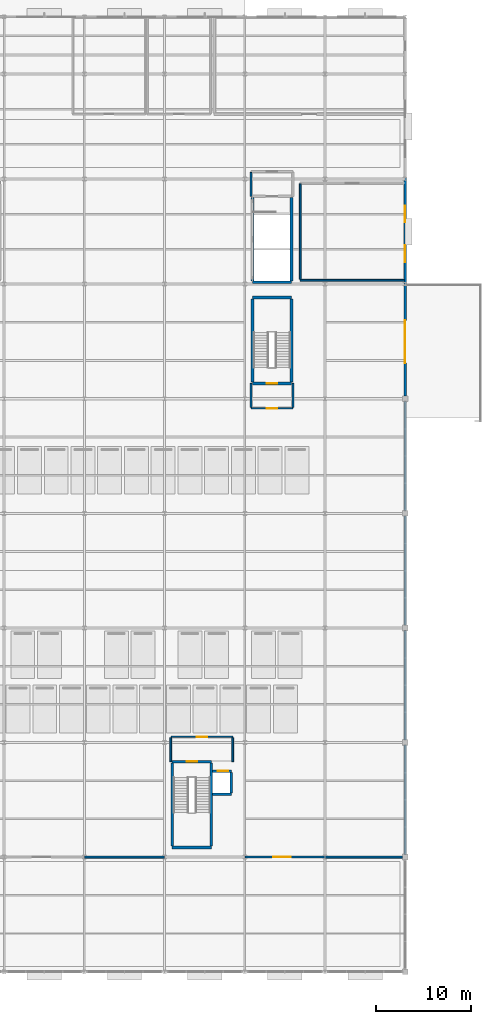
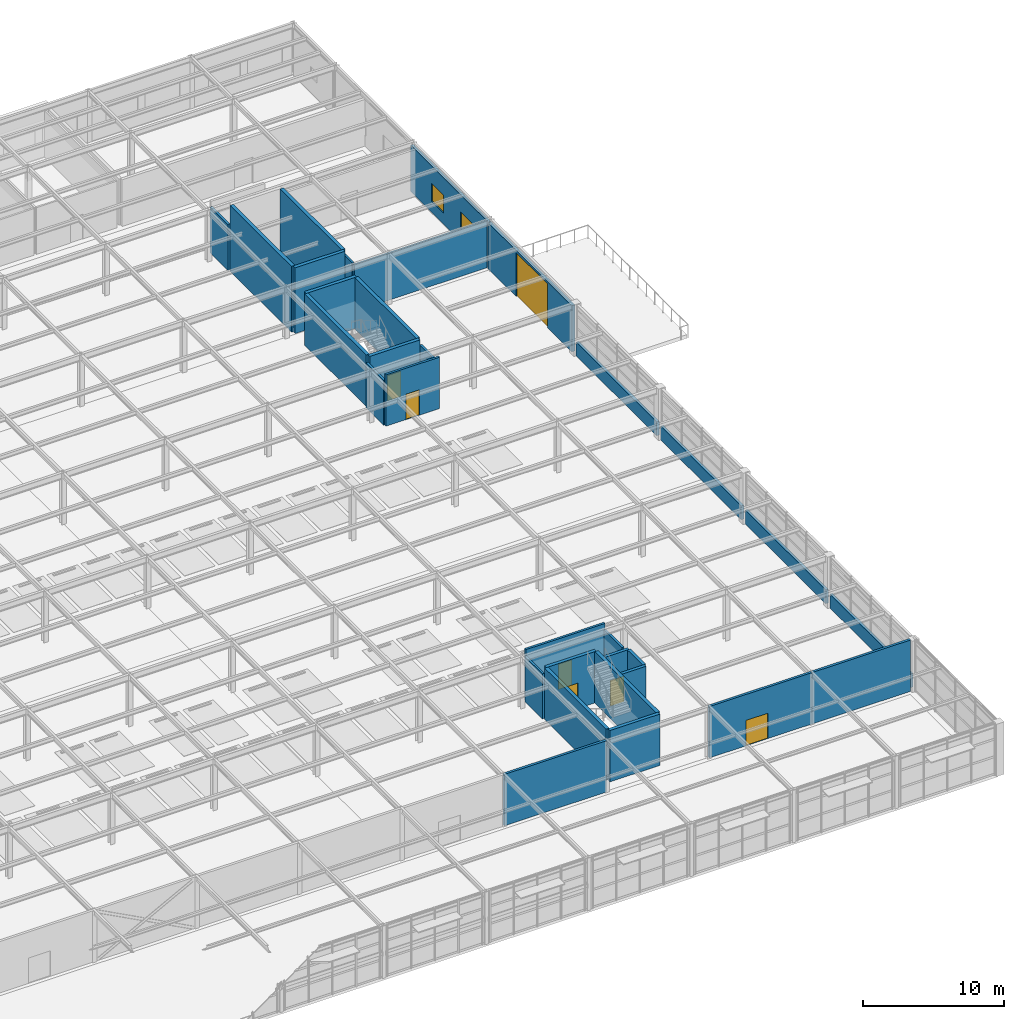
# One storey, part 67 of 82: 32 walls, 7 doors, 2 windows, 9 openings.
"""IFC4 building model written with IfcOpenShell, lengths in metres."""

from ifc_helpers import new_model, si_unit, direction, frame, frame_2d, origin, place, context, subcontext, project, spatial, rectangle, extrude, material, layer, layer_set, type_object, element, fill, save


model = new_model("IFC4")

# Units and contexts
model_context = context("Model", 3, precision=1e-05, world=origin(), true_north=direction((0.0, 1.0)))
body_context = subcontext(model_context, "Body", "Model", "MODEL_VIEW")
ifc_project = project(units=[si_unit("LENGTHUNIT", "METRE"), si_unit("AREAUNIT", "SQUARE_METRE"), si_unit("VOLUMEUNIT", "CUBIC_METRE"), si_unit("PLANEANGLEUNIT", "RADIAN"), si_unit("MASSUNIT", "GRAM", prefix="KILO")], contexts=[model_context])

# Site, building, storey
site_placement = place(None, origin())
site = spatial("IfcSite", under=ifc_project, at=site_placement, CompositionType="ELEMENT")
building_placement = place(site_placement, origin())
building = spatial("IfcBuilding", under=site, at=building_placement, Name="Sitalva Quay Ferry Terminal", CompositionType="ELEMENT")
storey_placement = place(building_placement, frame((0.0, 0.0, 5.39990234375)))
storey = spatial("IfcBuildingStorey", under=building, at=storey_placement, Name="L02", CompositionType="ELEMENT", Elevation=5.39990234375)

# Wall
ifc_material_1 = material(Name="Concrete C40/50", Category="concrete")
ifc_layer_1 = layer(ifc_material_1, 0.280029296875)
ifc_layer_set_1 = layer_set([ifc_layer_1], Name="Concrete C40/50")
wall_type_1 = type_object("IfcWallType", Name="Wall_CoreShear_280", PredefinedType="SHEAR", material=ifc_layer_set_1)
wall_1_placement = place(storey_placement, frame((143.60009765625, 19.0, 0.0), z_axis=(0.0, 0.0, 1.0), x_axis=(1.0, 0.0, 0.0)))
element("IfcWall", 1, at=wall_1_placement, inside=storey, type_object=wall_type_1, Name="Core C8 L02 south shear wall", PredefinedType="SHEAR", context=body_context, shape_type="SweptSolid", body=[
    extrude(rectangle(XDim=4.099853515625, YDim=0.280029296875, at=frame_2d((2.0498046875, 0.0))), origin(), (0.0, 0.0, 1.0), 4.4501953125),
])

# Wall, opening, door
wall_2_placement = place(storey_placement, frame((143.60009765625, 28.0, 0.0), z_axis=(0.0, 0.0, 1.0), x_axis=(1.0, 0.0, 0.0)))
wall_2 = element("IfcWall", 2, at=wall_2_placement, inside=storey, type_object=wall_type_1, Name="Core C8 L02 north shear wall", PredefinedType="SHEAR", context=body_context, shape_type="SweptSolid", body=[
    extrude(rectangle(XDim=4.099853515625, YDim=0.280029296875, at=frame_2d((2.0498046875, 0.0))), origin(), (0.0, 0.0, 1.0), 4.4501953125),
])
opening_1_placement = place(wall_2_placement, frame((1.5, 0.0, 0.0)))
opening_1 = element("IfcOpeningElement", 3, at=opening_1_placement, cuts=wall_2, Name="Opening D-L02-030", PredefinedType="OPENING", context=body_context, shape_type="SweptSolid", body=[
    extrude(rectangle(XDim=1.10009765625, YDim=2.199951171875, at=frame_2d((0.550048828125, 1.10009765625))), frame((0.0, 0.14990234375, 0.0), z_axis=(0.0, -1.0, 0.0), x_axis=(1.0, 0.0, 0.0)), (0.0, 0.0, 1.0), 0.300048828125),
])
ifc_material_2 = material(Name="Galvanised Steel Fire Door", Category="steel")
door_type_1 = type_object("IfcDoorType", Name="Door_CoreExit_1100x2200", OperationType="SINGLE_SWING_LEFT", PredefinedType="DOOR", material=ifc_material_2)
door_1_placement = place(opening_1_placement, origin())
door_1 = element("IfcDoor", 4, at=door_1_placement, inside=storey, type_object=door_type_1, Name="DOOR-D-L02-030 Protected stair ST-08 door D-L02-030", OperationType="SINGLE_SWING_RIGHT", OverallHeight=2.199951171875, OverallWidth=1.10009765625, PredefinedType="DOOR", context=body_context, shape_type="SweptSolid", body=[
    extrude(rectangle(XDim=1.10009765625, YDim=2.199951171875, at=frame_2d((0.550048828125, 1.10009765625))), frame((0.0, 0.02490234375, 0.0), z_axis=(0.0, -1.0, 0.0), x_axis=(1.0, 0.0, 0.0)), (0.0, 0.0, 1.0), 0.050048828125),
])
fill(opening_1, door_1)

# Walls
for number, where, z_axis, x_axis, name in (
    (5, (143.60009765625, 19.139892578125, 0.0), (0.0, 0.0, 1.0), (0.0, 1.0, 0.0), "Core C8 L02 west shear wall"),
    (6, (147.699951171875, 19.139892578125, 0.0), (0.0, 0.0, 1.0), (0.0, 1.0, 0.0), "Core C8 L02 east shear wall"),
):
    element("IfcWall", number, at=place(storey_placement, frame(where, z_axis=z_axis, x_axis=x_axis)), inside=storey, type_object=wall_type_1, Name=name, PredefinedType="SHEAR", context=body_context, shape_type="SweptSolid", body=[
        extrude(rectangle(XDim=8.72021484375, YDim=0.280029296875, at=frame_2d((4.360107421875, 0.0))), origin(), (0.0, 0.0, 1.0), 4.4501953125),
    ])

# Wall, opening, door
wall_3_placement = place(storey_placement, frame((152.0, 67.60009765625, 0.0), z_axis=(0.0, 0.0, 1.0), x_axis=(1.0, 0.0, 0.0)))
wall_3 = element("IfcWall", 7, at=wall_3_placement, inside=storey, type_object=wall_type_1, Name="Core C9 L02 south shear wall", PredefinedType="SHEAR", context=body_context, shape_type="SweptSolid", body=[
    extrude(rectangle(XDim=4.10009765625, YDim=0.280029296875, at=frame_2d((2.050048828125, 0.0))), origin(), (0.0, 0.0, 1.0), 4.4501953125),
])
opening_2_placement = place(wall_3_placement, frame((1.5, 0.0, 0.0)))
opening_2 = element("IfcOpeningElement", 8, at=opening_2_placement, cuts=wall_3, Name="Opening D-L02-034", PredefinedType="OPENING", context=body_context, shape_type="SweptSolid", body=[
    extrude(rectangle(XDim=1.10009765625, YDim=2.199951171875, at=frame_2d((0.550048828125, 1.10009765625))), frame((0.0, 0.14990234375, 0.0), z_axis=(0.0, -1.0, 0.0), x_axis=(1.0, 0.0, 0.0)), (0.0, 0.0, 1.0), 0.300048828125),
])
door_2_placement = place(opening_2_placement, origin())
door_2 = element("IfcDoor", 9, at=door_2_placement, inside=storey, type_object=door_type_1, Name="DOOR-D-L02-034 Protected stair ST-09 door D-L02-034", OperationType="SINGLE_SWING_RIGHT", OverallHeight=2.199951171875, OverallWidth=1.10009765625, PredefinedType="DOOR", context=body_context, shape_type="SweptSolid", body=[
    extrude(rectangle(XDim=1.10009765625, YDim=2.199951171875, at=frame_2d((0.550048828125, 1.10009765625))), frame((0.0, 0.02490234375, 0.0), z_axis=(0.0, -1.0, 0.0), x_axis=(1.0, 0.0, 0.0)), (0.0, 0.0, 1.0), 0.050048828125),
])
fill(opening_2, door_2)

# Walls
wall_4_placement = place(storey_placement, frame((152.0, 76.60009765625, 0.0), z_axis=(0.0, 0.0, 1.0), x_axis=(1.0, 0.0, 0.0)))
element("IfcWall", 10, at=wall_4_placement, inside=storey, type_object=wall_type_1, Name="Core C9 L02 north shear wall", PredefinedType="SHEAR", context=body_context, shape_type="SweptSolid", body=[
    extrude(rectangle(XDim=4.10009765625, YDim=0.280029296875, at=frame_2d((2.050048828125, 0.0))), origin(), (0.0, 0.0, 1.0), 4.4501953125),
])
for number, where, z_axis, x_axis, name in (
    (11, (152.0, 67.739990234375, 0.0), (0.0, 0.0, 1.0), (0.0, 1.0, 0.0), "Core C9 L02 west shear wall"),
    (12, (156.10009765625, 67.739990234375, 0.0), (0.0, 0.0, 1.0), (0.0, 1.0, 0.0), "Core C9 L02 east shear wall"),
):
    element("IfcWall", number, at=place(storey_placement, frame(where, z_axis=z_axis, x_axis=x_axis)), inside=storey, type_object=wall_type_1, Name=name, PredefinedType="SHEAR", context=body_context, shape_type="SweptSolid", body=[
        extrude(rectangle(XDim=8.719970703125, YDim=0.280029296875, at=frame_2d((4.35986328125, 0.0))), origin(), (0.0, 0.0, 1.0), 4.4501953125),
    ])
wall_5_placement = place(storey_placement, frame((152.0, 78.199951171875, 0.0), z_axis=(0.0, 0.0, 1.0), x_axis=(1.0, 0.0, 0.0)))
element("IfcWall", 13, at=wall_5_placement, inside=storey, type_object=wall_type_1, Name="Core C10 L02 south shear wall", PredefinedType="SHEAR", context=body_context, shape_type="SweptSolid", body=[
    extrude(rectangle(XDim=4.10009765625, YDim=0.280029296875, at=frame_2d((2.050048828125, 0.0))), origin(), (0.0, 0.0, 1.0), 5.7001953125),
])
for number, where, z_axis, x_axis, name in (
    (14, (152.0, 78.340087890625, 0.0), (0.0, 0.0, 1.0), (0.0, 1.0, 0.0), "Core C10 L02 west shear wall"),
    (15, (156.10009765625, 78.340087890625, 0.0), (0.0, 0.0, 1.0), (0.0, 1.0, 0.0), "Core C10 L02 east shear wall"),
):
    element("IfcWall", number, at=place(storey_placement, frame(where, z_axis=z_axis, x_axis=x_axis)), inside=storey, type_object=wall_type_1, Name=name, PredefinedType="SHEAR", context=body_context, shape_type="SweptSolid", body=[
        extrude(rectangle(XDim=8.719970703125, YDim=0.280029296875, at=frame_2d((4.35986328125, 0.0))), origin(), (0.0, 0.0, 1.0), 5.7001953125),
    ])

# Wall, openings, windows
ifc_material_3 = material(Name="Insulated Precast Concrete C40/50", Category="concrete")
ifc_layer_2 = layer(ifc_material_3, 0.239990234375)
ifc_layer_set_2 = layer_set([ifc_layer_2], Name="Insulated Precast Concrete C40/50")
wall_type_2 = type_object("IfcWallType", Name="Wall_ExtClad_240", PredefinedType="ELEMENTEDWALL", material=ifc_layer_set_2)
wall_6_placement = place(storey_placement, frame((168.0, 78.1630859375, 0.0), z_axis=(0.0, 0.0, 1.0), x_axis=(0.0, 1.0, 0.0)))
wall_6 = element("IfcWall", 16, at=wall_6_placement, inside=storey, type_object=wall_type_2, Name="L02 far-east facade EW-L02-174", PredefinedType="ELEMENTEDWALL", context=body_context, shape_type="SweptSolid", body=[
    extrude(rectangle(XDim=11.011962890625, YDim=0.239990234375, at=frame_2d((5.505859375, 0.0))), origin(), (0.0, 0.0, 1.0), 4.031005859375),
])
opening_3_placement = place(wall_6_placement, frame((2.116943359375, 0.0, 0.949951171875)))
opening_3 = element("IfcOpeningElement", 17, at=opening_3_placement, cuts=wall_6, Name="Opening WN-L02-056", PredefinedType="OPENING", context=body_context, shape_type="SweptSolid", body=[
    extrude(rectangle(XDim=1.800048828125, YDim=1.60009765625, at=frame_2d((0.89990234375, 0.800048828125))), frame((0.0, 0.1298828125, 0.0), z_axis=(0.0, -1.0, 0.0), x_axis=(1.0, 0.0, 0.0)), (0.0, 0.0, 1.0), 0.260009765625),
])
opening_4_placement = place(wall_6_placement, frame((6.31689453125, 0.0, 0.949951171875)))
opening_4 = element("IfcOpeningElement", 18, at=opening_4_placement, cuts=wall_6, Name="Opening WN-L02-057", PredefinedType="OPENING", context=body_context, shape_type="SweptSolid", body=[
    extrude(rectangle(XDim=1.75, YDim=1.550048828125, at=frame_2d((0.875, 0.77490234375))), frame((0.0, 0.1298828125, 0.0), z_axis=(0.0, -1.0, 0.0), x_axis=(1.0, 0.0, 0.0)), (0.0, 0.0, 1.0), 0.260009765625),
])
ifc_material_4 = material(Name="Anodised Aluminium & Low-E Glass", Category="aluminium")
window_type_1 = type_object("IfcWindowType", Name="Win_EastOps_1750x1550", PartitioningType="SINGLE_PANEL", PredefinedType="WINDOW", material=ifc_material_4)
window_1_placement = place(opening_4_placement, origin())
window_1 = element("IfcWindow", 19, at=window_1_placement, inside=storey, type_object=window_type_1, Name="L02 east operations window B WN-L02-057", OverallHeight=1.550048828125, OverallWidth=1.75, PartitioningType="SINGLE_PANEL", PredefinedType="WINDOW", context=body_context, shape_type="SweptSolid", body=[
    extrude(rectangle(XDim=1.75, YDim=1.550048828125, at=frame_2d((0.875, 0.77490234375))), frame((0.0, 0.030029296875, 0.0), z_axis=(0.0, -1.0, 0.0), x_axis=(1.0, 0.0, 0.0)), (0.0, 0.0, 1.0), 0.06005859375),
])
fill(opening_4, window_1)
ifc_material_5 = material(Name="Anodised Aluminium & Low-E Glass", Category="aluminium")
window_type_2 = type_object("IfcWindowType", Name="Win_Ribbon_1800x1600", PartitioningType="SINGLE_PANEL", PredefinedType="WINDOW", material=ifc_material_5)
window_2_placement = place(opening_3_placement, origin())
window_2 = element("IfcWindow", 20, at=window_2_placement, inside=storey, type_object=window_type_2, Name="L02 east operations window A WN-L02-056", OverallHeight=1.60009765625, OverallWidth=1.800048828125, PartitioningType="SINGLE_PANEL", PredefinedType="WINDOW", context=body_context, shape_type="SweptSolid", body=[
    extrude(rectangle(XDim=1.800048828125, YDim=1.60009765625, at=frame_2d((0.89990234375, 0.800048828125))), frame((0.0, 0.030029296875, 0.0), z_axis=(0.0, -1.0, 0.0), x_axis=(1.0, 0.0, 0.0)), (0.0, 0.0, 1.0), 0.06005859375),
])
fill(opening_3, window_2)

# Wall, opening, door
ifc_material_6 = material(Name="Concrete C40/50", Category="concrete")
ifc_layer_3 = layer(ifc_material_6, 0.260009765625)
ifc_layer_set_3 = layer_set([ifc_layer_3], Name="Concrete C40/50")
wall_type_3 = type_object("IfcWallType", Name="Wall_ExtSolid_260", PredefinedType="SOLIDWALL", material=ifc_layer_set_3)
wall_7_placement = place(storey_placement, frame((168.0, 66.284912109375, 0.0), z_axis=(0.0, 0.0, 1.0), x_axis=(0.0, 1.0, 0.0)))
wall_7 = element("IfcWall", 21, at=wall_7_placement, inside=storey, type_object=wall_type_3, Name="L02 upper vehicle ramp portal wall EW-L02-135", PredefinedType="SOLIDWALL", context=body_context, shape_type="SweptSolid", body=[
    extrude(rectangle(XDim=11.89013671875, YDim=0.260009765625, at=frame_2d((5.945068359375, 0.0))), origin(), (0.0, 0.0, 1.0), 3.988037109375),
])
opening_5_placement = place(wall_7_placement, frame((3.43505859375, 0.0, 0.0)))
opening_5 = element("IfcOpeningElement", 22, at=opening_5_placement, cuts=wall_7, Name="Opening ED-L02-024", PredefinedType="OPENING", context=body_context, shape_type="SweptSolid", body=[
    extrude(rectangle(XDim=4.5, YDim=3.800048828125, at=frame_2d((2.25, 1.89990234375))), frame((0.0, 0.139892578125, 0.0), z_axis=(0.0, -1.0, 0.0), x_axis=(1.0, 0.0, 0.0)), (0.0, 0.0, 1.0), 0.280029296875),
])
ifc_material_7 = material(Name="Galvanised Steel Roller Shutter", Category="steel")
door_type_2 = type_object("IfcDoorType", Name="Door_RollerVehicle_4500x4200", OperationType="ROLLINGUP", PredefinedType="GATE", material=ifc_material_7)
door_3_placement = place(opening_5_placement, origin())
door_3 = element("IfcDoor", 23, at=door_3_placement, inside=storey, type_object=door_type_2, Name="EDOOR-ED-L02-024 L02 upper vehicle deck ramp entry gate ED-L02-024", OperationType="ROLLINGUP", OverallHeight=3.800048828125, OverallWidth=4.5, PredefinedType="GATE", context=body_context, shape_type="SweptSolid", body=[
    extrude(rectangle(XDim=4.5, YDim=3.800048828125, at=frame_2d((2.25, 1.89990234375))), frame((0.0, 0.02490234375, 0.0), z_axis=(0.0, -1.0, 0.0), x_axis=(1.0, 0.0, 0.0)), (0.0, 0.0, 1.0), 0.050048828125),
])
fill(opening_5, door_3)

# Walls
ifc_material_8 = material(Name="Concrete C35/45", Category="concrete")
ifc_layer_4 = layer(ifc_material_8, 0.219970703125)
ifc_layer_set_4 = layer_set([ifc_layer_4], Name="Concrete C35/45")
wall_type_4 = type_object("IfcWallType", Name="Wall_ExtSpandrel_220", PredefinedType="SOLIDWALL", material=ifc_layer_set_4)
for number, where, z_axis, x_axis, name in (
    (24, (168.0, 18.284912109375, 0.0), (0.0, 0.0, 1.0), (0.0, 1.0, 0.0), "L02 vehicle deck east crash spandrel EW-L02-127"),
    (25, (168.0, 30.284912109375, 0.0), (0.0, 0.0, 1.0), (0.0, 1.0, 0.0), "L02 vehicle deck east crash spandrel EW-L02-129"),
    (26, (168.0, 42.284912109375, 0.0), (0.0, 0.0, 1.0), (0.0, 1.0, 0.0), "L02 vehicle deck east crash spandrel EW-L02-131"),
    (27, (168.0, 54.284912109375, 0.0), (0.0, 0.0, 1.0), (0.0, 1.0, 0.0), "L02 vehicle deck east crash spandrel EW-L02-133"),
):
    element("IfcWall", number, at=place(storey_placement, frame(where, z_axis=z_axis, x_axis=x_axis)), inside=storey, type_object=wall_type_4, Name=name, PredefinedType="SOLIDWALL", context=body_context, shape_type="SweptSolid", body=[
        extrude(rectangle(XDim=11.43017578125, YDim=0.219970703125, at=frame_2d((5.715087890625, 0.0))), origin(), (0.0, 0.0, 1.0), 1.2001953125),
    ])
ifc_material_9 = material(Name="Concrete Blockwork C25/30", Category="masonry")
ifc_layer_5 = layer(ifc_material_9, 0.199951171875)
ifc_layer_set_5 = layer_set([ifc_layer_5], Name="Concrete Blockwork C25/30")
wall_type_5 = type_object("IfcWallType", Name="Wall_FireComp_200", PredefinedType="SOLIDWALL", material=ifc_layer_set_5)
wall_8_placement = place(storey_placement, frame((134.405029296875, 18.0, 0.0), z_axis=(0.0, 0.0, 1.0), x_axis=(1.0, 0.0, 0.0)))
element("IfcWall", 28, at=wall_8_placement, inside=storey, type_object=wall_type_5, Name="L02 concourse-to-deck fire wall IW-L02-0207", PredefinedType="SOLIDWALL", context=body_context, shape_type="SweptSolid", body=[
    extrude(rectangle(XDim=8.389892578125, YDim=0.199951171875, at=frame_2d((4.19482421875, 0.0))), origin(), (0.0, 0.0, 1.0), 4.4501953125),
])

# Wall, opening, door
wall_9_placement = place(storey_placement, frame((151.205078125, 18.0, 0.0), z_axis=(0.0, 0.0, 1.0), x_axis=(1.0, 0.0, 0.0)))
wall_9 = element("IfcWall", 29, at=wall_9_placement, inside=storey, type_object=wall_type_5, Name="L02 concourse-to-deck fire wall IW-L02-0208", PredefinedType="SOLIDWALL", context=body_context, shape_type="SweptSolid", body=[
    extrude(rectangle(XDim=8.389892578125, YDim=0.199951171875, at=frame_2d((4.19482421875, 0.0))), origin(), (0.0, 0.0, 1.0), 4.4501953125),
])
opening_6_placement = place(wall_9_placement, frame((3.0, 0.0, 0.0)))
opening_6 = element("IfcOpeningElement", 30, at=opening_6_placement, cuts=wall_9, Name="Opening ID-L02-073", PredefinedType="OPENING", context=body_context, shape_type="SweptSolid", body=[
    extrude(rectangle(XDim=1.800048828125, YDim=2.199951171875, at=frame_2d((0.89990234375, 1.10009765625))), frame((0.0, 0.10986328125, 0.0), z_axis=(0.0, -1.0, 0.0), x_axis=(1.0, 0.0, 0.0)), (0.0, 0.0, 1.0), 0.219970703125),
])
ifc_material_10 = material(Name="Glazed Steel Fire Door", Category="steel")
door_type_3 = type_object("IfcDoorType", Name="Door_FireCorridor_1800x2200", OperationType="DOUBLE_DOOR_SINGLE_SWING", PredefinedType="DOOR", material=ifc_material_10)
door_4_placement = place(opening_6_placement, origin())
door_4 = element("IfcDoor", 31, at=door_4_placement, inside=storey, type_object=door_type_3, Name="IDOOR-ID-L02-073 L02 deck passenger vestibule door ID-L02-073", OperationType="DOUBLE_DOOR_SINGLE_SWING", OverallHeight=2.199951171875, OverallWidth=1.800048828125, PredefinedType="DOOR", context=body_context, shape_type="SweptSolid", body=[
    extrude(rectangle(XDim=1.800048828125, YDim=2.199951171875, at=frame_2d((0.89990234375, 1.10009765625))), frame((0.0, 0.02490234375, 0.0), z_axis=(0.0, -1.0, 0.0), x_axis=(1.0, 0.0, 0.0)), (0.0, 0.0, 1.0), 0.050048828125),
])
fill(opening_6, door_4)

# Wall
wall_10_placement = place(storey_placement, frame((159.60498046875, 18.0, 0.0), z_axis=(0.0, 0.0, 1.0), x_axis=(1.0, 0.0, 0.0)))
element("IfcWall", 32, at=wall_10_placement, inside=storey, type_object=wall_type_5, Name="L02 concourse-to-deck fire wall IW-L02-0209", PredefinedType="SOLIDWALL", context=body_context, shape_type="SweptSolid", body=[
    extrude(rectangle(XDim=8.094970703125, YDim=0.199951171875, at=frame_2d((4.04736328125, 0.0))), origin(), (0.0, 0.0, 1.0), 4.4501953125),
])

# Wall, opening, door
ifc_material_11 = material(Name="Fire-Rated Blockwork C25/30", Category="masonry")
ifc_layer_6 = layer(ifc_material_11, 0.179931640625)
ifc_layer_set_6 = layer_set([ifc_layer_6], Name="Fire-Rated Blockwork C25/30")
wall_type_6 = type_object("IfcWallType", Name="Wall_FireLobby_180", PredefinedType="SOLIDWALL", material=ifc_layer_set_6)
wall_11_placement = place(storey_placement, frame((143.449951171875, 30.60009765625, 0.0), z_axis=(0.0, 0.0, 1.0), x_axis=(1.0, 0.0, 0.0)))
wall_11 = element("IfcWall", 33, at=wall_11_placement, inside=storey, type_object=wall_type_6, Name="Firefighting & Lift Lobby C8 N wall IW-L02-0076", PredefinedType="SOLIDWALL", context=body_context, shape_type="SweptSolid", body=[
    extrude(rectangle(XDim=6.5, YDim=0.179931640625, at=frame_2d((3.25, 0.0))), origin(), (0.0, 0.0, 1.0), 4.4501953125),
])
opening_7_placement = place(wall_11_placement, frame((2.699951171875, 0.0, 0.0)))
opening_7 = element("IfcOpeningElement", 34, at=opening_7_placement, cuts=wall_11, Name="Opening ID-L02-026", PredefinedType="OPENING", context=body_context, shape_type="SweptSolid", body=[
    extrude(rectangle(XDim=1.10009765625, YDim=2.199951171875, at=frame_2d((0.550048828125, 1.10009765625))), frame((0.0, 0.099853515625, 0.0), z_axis=(0.0, -1.0, 0.0), x_axis=(1.0, 0.0, 0.0)), (0.0, 0.0, 1.0), 0.199951171875),
])
ifc_material_12 = material(Name="Steel Fire Door", Category="steel")
door_type_4 = type_object("IfcDoorType", Name="Door_FireLobby_1100x2200", OperationType="SINGLE_SWING_LEFT", PredefinedType="DOOR", material=ifc_material_12)
door_5_placement = place(opening_7_placement, origin())
door_5 = element("IfcDoor", 35, at=door_5_placement, inside=storey, type_object=door_type_4, Name="IDOOR-ID-L02-026 Firefighting & Lift Lobby C8 entrance ID-L02-026", OperationType="SINGLE_SWING_RIGHT", OverallHeight=2.199951171875, OverallWidth=1.10009765625, PredefinedType="DOOR", context=body_context, shape_type="SweptSolid", body=[
    extrude(rectangle(XDim=1.10009765625, YDim=2.199951171875, at=frame_2d((0.550048828125, 1.10009765625))), frame((0.0, 0.02490234375, 0.0), z_axis=(0.0, -1.0, 0.0), x_axis=(1.0, 0.0, 0.0)), (0.0, 0.0, 1.0), 0.050048828125),
])
fill(opening_7, door_5)

# Walls
for number, where, z_axis, x_axis, name in (
    (36, (143.449951171875, 28.0, 0.0), (0.0, 0.0, 1.0), (0.0, 1.0, 0.0), "Firefighting & Lift Lobby C8 W wall IW-L02-0077"),
    (37, (149.949951171875, 28.0, 0.0), (0.0, 0.0, 1.0), (0.0, 1.0, 0.0), "Firefighting & Lift Lobby C8 E wall IW-L02-0078"),
):
    element("IfcWall", number, at=place(storey_placement, frame(where, z_axis=z_axis, x_axis=x_axis)), inside=storey, type_object=wall_type_6, Name=name, PredefinedType="SOLIDWALL", context=body_context, shape_type="SweptSolid", body=[
        extrude(rectangle(XDim=2.510009765625, YDim=0.179931640625, at=frame_2d((1.2548828125, 0.0))), origin(), (0.0, 0.0, 1.0), 3.906005859375),
    ])

# Wall, opening, door
wall_12_placement = place(storey_placement, frame((151.85009765625, 65.0, 0.0), z_axis=(0.0, 0.0, 1.0), x_axis=(1.0, 0.0, 0.0)))
wall_12 = element("IfcWall", 38, at=wall_12_placement, inside=storey, type_object=wall_type_6, Name="Firefighting & Lift Lobby C9 S wall IW-L02-0085", PredefinedType="SOLIDWALL", context=body_context, shape_type="SweptSolid", body=[
    extrude(rectangle(XDim=4.39990234375, YDim=0.179931640625, at=frame_2d((2.199951171875, 0.0))), origin(), (0.0, 0.0, 1.0), 4.4501953125),
])
opening_8_placement = place(wall_12_placement, frame((1.64990234375, 0.0, 0.0)))
opening_8 = element("IfcOpeningElement", 39, at=opening_8_placement, cuts=wall_12, Name="Opening ID-L02-029", PredefinedType="OPENING", context=body_context, shape_type="SweptSolid", body=[
    extrude(rectangle(XDim=1.10009765625, YDim=2.199951171875, at=frame_2d((0.550048828125, 1.10009765625))), frame((0.0, 0.099853515625, 0.0), z_axis=(0.0, -1.0, 0.0), x_axis=(1.0, 0.0, 0.0)), (0.0, 0.0, 1.0), 0.199951171875),
])
door_6_placement = place(opening_8_placement, origin())
door_6 = element("IfcDoor", 40, at=door_6_placement, inside=storey, type_object=door_type_4, Name="IDOOR-ID-L02-029 Firefighting & Lift Lobby C9 entrance ID-L02-029", OperationType="SINGLE_SWING_LEFT", OverallHeight=2.199951171875, OverallWidth=1.10009765625, PredefinedType="DOOR", context=body_context, shape_type="SweptSolid", body=[
    extrude(rectangle(XDim=1.10009765625, YDim=2.199951171875, at=frame_2d((0.550048828125, 1.10009765625))), frame((0.0, 0.02490234375, 0.0), z_axis=(0.0, -1.0, 0.0), x_axis=(1.0, 0.0, 0.0)), (0.0, 0.0, 1.0), 0.050048828125),
])
fill(opening_8, door_6)

# Walls
for number, where, z_axis, x_axis, name in (
    (41, (151.85009765625, 65.090087890625, 0.0), (0.0, 0.0, 1.0), (0.0, 1.0, 0.0), "Firefighting & Lift Lobby C9 W wall IW-L02-0086"),
    (42, (156.25, 65.090087890625, 0.0), (0.0, 0.0, 1.0), (0.0, 1.0, 0.0), "Firefighting & Lift Lobby C9 E wall IW-L02-0087"),
):
    element("IfcWall", number, at=place(storey_placement, frame(where, z_axis=z_axis, x_axis=x_axis)), inside=storey, type_object=wall_type_6, Name=name, PredefinedType="SOLIDWALL", context=body_context, shape_type="SweptSolid", body=[
        extrude(rectangle(XDim=2.510009765625, YDim=0.179931640625, at=frame_2d((1.2548828125, 0.0))), origin(), (0.0, 0.0, 1.0), 3.906005859375),
    ])
wall_13_placement = place(storey_placement, frame((151.85009765625, 87.199951171875, 0.0), z_axis=(0.0, 0.0, 1.0), x_axis=(0.0, 1.0, 0.0)))
element("IfcWall", 43, at=wall_13_placement, inside=storey, type_object=wall_type_6, Name="Firefighting & Lift Lobby C10 W wall IW-L02-0095", PredefinedType="SOLIDWALL", context=body_context, shape_type="SweptSolid", body=[
    extrude(rectangle(XDim=2.510009765625, YDim=0.179931640625, at=frame_2d((1.2548828125, 0.0))), origin(), (0.0, 0.0, 1.0), 3.989990234375),
])
wall_14_placement = place(storey_placement, frame((157.0, 78.39990234375, 0.0), z_axis=(0.0, 0.0, 1.0), x_axis=(1.0, 0.0, 0.0)))
element("IfcWall", 44, at=wall_14_placement, inside=storey, type_object=wall_type_6, Name="Deck Maintenance & Spill Response Store S wall IW-L02-0258", PredefinedType="SOLIDWALL", context=body_context, shape_type="SweptSolid", body=[
    extrude(rectangle(XDim=10.919921875, YDim=0.179931640625, at=frame_2d((5.4599609375, 0.0))), origin(), (0.0, 0.0, 1.0), 4.033203125),
])
wall_15_placement = place(storey_placement, frame((157.0, 78.489990234375, 0.0), z_axis=(0.0, 0.0, 1.0), x_axis=(0.0, 1.0, 0.0)))
element("IfcWall", 45, at=wall_15_placement, inside=storey, type_object=wall_type_6, Name="Deck Maintenance & Spill Response Store W wall IW-L02-0260", PredefinedType="SOLIDWALL", context=body_context, shape_type="SweptSolid", body=[
    extrude(rectangle(XDim=10.02001953125, YDim=0.179931640625, at=frame_2d((5.010009765625, 0.0))), origin(), (0.0, 0.0, 1.0), 4.13720703125),
])
ifc_material_13 = material(Name="Concrete C35/45", Category="concrete")
ifc_layer_7 = layer(ifc_material_13, 0.25)
ifc_layer_set_7 = layer_set([ifc_layer_7], Name="Concrete C35/45")
wall_type_7 = type_object("IfcWallType", Name="Wall_LiftShaft_250", PredefinedType="SOLIDWALL", material=ifc_layer_set_7)
wall_16_placement = place(storey_placement, frame((147.844970703125, 24.60009765625, 0.0), z_axis=(0.0, 0.0, 1.0), x_axis=(1.0, 0.0, 0.0)))
element("IfcWall", 46, at=wall_16_placement, inside=storey, type_object=wall_type_7, Name="Lift LF-07 L02 south shaft wall", PredefinedType="SOLIDWALL", context=body_context, shape_type="SweptSolid", body=[
    extrude(rectangle(XDim=1.955078125, YDim=0.25, at=frame_2d((0.9775390625, 0.0))), origin(), (0.0, 0.0, 1.0), 4.4501953125),
])

# Wall, opening, door
wall_17_placement = place(storey_placement, frame((147.844970703125, 27.0, 0.0), z_axis=(0.0, 0.0, 1.0), x_axis=(1.0, 0.0, 0.0)))
wall_17 = element("IfcWall", 47, at=wall_17_placement, inside=storey, type_object=wall_type_7, Name="Lift LF-07 L02 north shaft wall", PredefinedType="SOLIDWALL", context=body_context, shape_type="SweptSolid", body=[
    extrude(rectangle(XDim=1.955078125, YDim=0.25, at=frame_2d((0.9775390625, 0.0))), origin(), (0.0, 0.0, 1.0), 4.4501953125),
])
opening_9_placement = place(wall_17_placement, frame((0.5, 0.0, 0.0)))
opening_9 = element("IfcOpeningElement", 48, at=opening_9_placement, cuts=wall_17, Name="Opening LD-LF-07-L02", PredefinedType="OPENING", context=body_context, shape_type="SweptSolid", body=[
    extrude(rectangle(XDim=1.10009765625, YDim=2.199951171875, at=frame_2d((0.550048828125, 1.10009765625))), frame((0.0, 0.135009765625, 0.0), z_axis=(0.0, -1.0, 0.0), x_axis=(1.0, 0.0, 0.0)), (0.0, 0.0, 1.0), 0.27001953125),
])
ifc_material_14 = material(Name="Stainless Steel 316L Fire Landing Door", Category="steel")
door_type_5 = type_object("IfcDoorType", Name="Door_LiftLanding_1100x2200", OperationType="SLIDING_TO_LEFT", PredefinedType="DOOR", material=ifc_material_14)
door_7_placement = place(opening_9_placement, origin())
door_7 = element("IfcDoor", 49, at=door_7_placement, inside=storey, type_object=door_type_5, Name="DOOR-LD-LF-07-L02 Lift LF-07 sliding landing door LD-LF-07-L02", OperationType="SLIDING_TO_LEFT", OverallHeight=2.199951171875, OverallWidth=1.10009765625, PredefinedType="DOOR", context=body_context, shape_type="SweptSolid", body=[
    extrude(rectangle(XDim=1.10009765625, YDim=2.199951171875, at=frame_2d((0.550048828125, 1.10009765625))), frame((0.0, 0.02490234375, 0.0), z_axis=(0.0, -1.0, 0.0), x_axis=(1.0, 0.0, 0.0)), (0.0, 0.0, 1.0), 0.050048828125),
])
fill(opening_9, door_7)

# Wall
wall_18_placement = place(storey_placement, frame((149.800048828125, 24.72509765625, 0.0), z_axis=(0.0, 0.0, 1.0), x_axis=(0.0, 1.0, 0.0)))
element("IfcWall", 50, at=wall_18_placement, inside=storey, type_object=wall_type_7, Name="Lift LF-07 L02 east shaft wall", PredefinedType="SOLIDWALL", context=body_context, shape_type="SweptSolid", body=[
    extrude(rectangle(XDim=2.14990234375, YDim=0.25, at=frame_2d((1.074951171875, 0.0))), origin(), (0.0, 0.0, 1.0), 4.4501953125),
])

save(model, "model.ifc")
